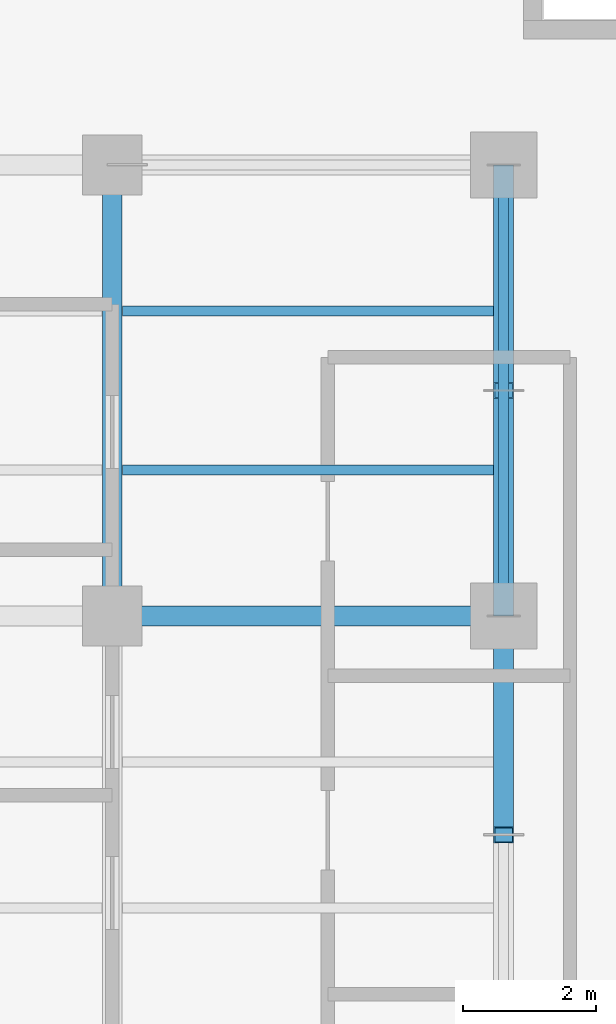
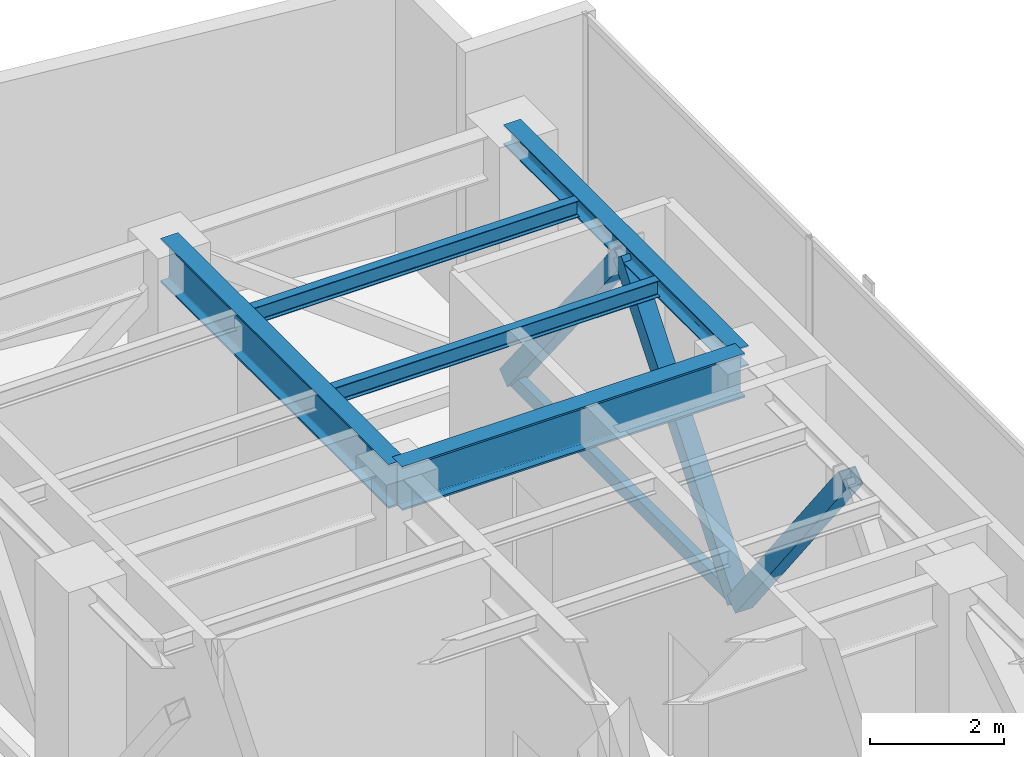
# One storey, part 20 of 31: 5 beams, 4 members.
"""IFC4 building model written with IfcOpenShell, lengths in metres."""

from ifc_helpers import new_model, si_unit, direction, frame, origin, origin_2d, place, context, subcontext, project, spatial, hollow_rectangle, i_section, extrude, material, material_profile, profile_set, type_object, element, save


model = new_model("IFC4")

# Units and contexts
model_context = context("Model", 3, precision=1e-05, world=origin(), true_north=direction((0.0, 1.0)))
body_context = subcontext(model_context, "Body", "Model", "MODEL_VIEW")
ifc_project = project(units=[si_unit("LENGTHUNIT", "METRE"), si_unit("AREAUNIT", "SQUARE_METRE"), si_unit("VOLUMEUNIT", "CUBIC_METRE"), si_unit("PLANEANGLEUNIT", "RADIAN"), si_unit("MASSUNIT", "GRAM", prefix="KILO")], contexts=[model_context])

# Site, building, storey
site_placement = place(None, origin())
site = spatial("IfcSite", under=ifc_project, at=site_placement, CompositionType="ELEMENT")
building_placement = place(site_placement, origin())
building = spatial("IfcBuilding", under=site, at=building_placement, Name="Kolvaren Waterfront Exchange", CompositionType="ELEMENT")
storey_placement = place(building_placement, frame((0.0, 0.0, 257.699951171875)))
storey = spatial("IfcBuildingStorey", under=building, at=storey_placement, Name="L66", CompositionType="ELEMENT", Elevation=257.699951171875)

# Beams
ifc_material_1 = material(Name="Steel S355", Category="steel")
ifc_material_profile_1 = material_profile(ifc_material_1, i_section(OverallWidth=0.300048828125, OverallDepth=0.360107421875, WebThickness=0.012451171875, FlangeThickness=0.0224609375, FilletRadius=0.027099609375, at=origin_2d()), Name="HEB360")
ifc_profile_set_1 = profile_set([ifc_material_profile_1], Name="Steel S355")
beam_type_1 = type_object("IfcBeamType", Name="STR-BM-HEB360", PredefinedType="SPANDREL", material=ifc_profile_set_1)
beam_1_placement = place(storey_placement, frame((18.800048828125, 37.800048828125, 4.679931640625), z_axis=(0.0, 1.0, 0.0), x_axis=(-1.0, 0.0, 0.0)))
element("IfcBeam", 1, at=beam_1_placement, inside=storey, type_object=beam_type_1, Name="L66 north-arm edge beam 3", PredefinedType="SPANDREL", context=body_context, shape_type="SweptSolid", body=[
    extrude(i_section(OverallWidth=0.300048828125, OverallDepth=0.360107421875, WebThickness=0.012451171875, FlangeThickness=0.0224609375, FilletRadius=0.027099609375, at=origin_2d()), origin(), (0.0, 0.0, 1.0), 6.800048828125),
])
ifc_material_profile_2 = material_profile(ifc_material_1, i_section(OverallWidth=0.300048828125, OverallDepth=0.800048828125, WebThickness=0.017578125, FlangeThickness=0.032958984375, FilletRadius=0.030029296875, at=origin_2d()), Name="HEB800")
ifc_profile_set_2 = profile_set([ifc_material_profile_2], Name="Steel S355")
beam_type_2 = type_object("IfcBeamType", Name="STR-BM-HEB800", PredefinedType="BEAM", material=ifc_profile_set_2)
beam_2_placement = place(storey_placement, frame((12.89990234375, 37.800048828125, 4.4599609375), z_axis=(1.0, 0.0, 0.0), x_axis=(0.0, 1.0, 0.0)))
element("IfcBeam", 2, at=beam_2_placement, inside=storey, type_object=beam_type_2, Name="L66 north-arm girder 3B", PredefinedType="BEAM", context=body_context, shape_type="SweptSolid", body=[
    extrude(i_section(OverallWidth=0.300048828125, OverallDepth=0.800048828125, WebThickness=0.017578125, FlangeThickness=0.032958984375, FilletRadius=0.030029296875, at=origin_2d()), origin(), (0.0, 0.0, 1.0), 5.900146484375),
])
beam_3_placement = place(storey_placement, frame((12.89990234375, 37.800048828125, 4.4599609375), z_axis=(0.0, 1.0, 0.0), x_axis=(-1.0, 0.0, 0.0)))
element("IfcBeam", 3, at=beam_3_placement, inside=storey, type_object=beam_type_2, Name="L66 north-arm edge beam 3", PredefinedType="BEAM", context=body_context, shape_type="SweptSolid", body=[
    extrude(i_section(OverallWidth=0.300048828125, OverallDepth=0.800048828125, WebThickness=0.017578125, FlangeThickness=0.032958984375, FilletRadius=0.030029296875, at=origin_2d()), origin(), (0.0, 0.0, 1.0), 6.800048828125),
])
ifc_material_profile_3 = material_profile(ifc_material_1, i_section(OverallWidth=0.14990234375, OverallDepth=0.300048828125, WebThickness=0.007080078125, FlangeThickness=0.0107421875, FilletRadius=0.014892578125, at=origin_2d()), Name="IPE300")
ifc_profile_set_3 = profile_set([ifc_material_profile_3], Name="Steel S355")
beam_type_3 = type_object("IfcBeamType", Name="STR-BM-IPE300", PredefinedType="JOIST", material=ifc_profile_set_3)
for number, where, z_axis, x_axis, name in (
    (4, (13.052001953125, 40.0, 4.7099609375), (1.0, 0.0, 0.0), (0.0, 1.0, 0.0), "L66 north-arm composite joist 5B"),
    (5, (13.052001953125, 42.39990234375, 4.7099609375), (1.0, 0.0, 0.0), (0.0, 1.0, 0.0), "L66 north-arm composite joist 6B"),
):
    element("IfcBeam", number, at=place(storey_placement, frame(where, z_axis=z_axis, x_axis=x_axis)), inside=storey, type_object=beam_type_3, Name=name, PredefinedType="JOIST", context=body_context, shape_type="SweptSolid", body=[
        extrude(i_section(OverallWidth=0.14990234375, OverallDepth=0.300048828125, WebThickness=0.007080078125, FlangeThickness=0.0107421875, FilletRadius=0.014892578125, at=origin_2d()), origin(), (0.0, 0.0, 1.0), 5.595947265625),
    ])

# Members
ifc_material_2 = material(Name="Steel S460", Category="steel")
ifc_material_profile_4 = material_profile(ifc_material_2, hollow_rectangle(XDim=0.14990234375, YDim=0.25, WallThickness=0.010009765625, at=origin_2d()), Name="RHS250x150x10")
ifc_profile_set_4 = profile_set([ifc_material_profile_4], Name="Steel S460")
member_type_1 = type_object("IfcMemberType", Name="STR-BR-RHS250", PredefinedType="CHORD", material=ifc_profile_set_4)
member_1_placement = place(storey_placement, frame((18.800048828125, 37.800048828125, 0.25), z_axis=(0.0, 1.0, 0.0), x_axis=(-1.0, 0.0, 0.0)))
element("IfcMember", 6, at=member_1_placement, inside=storey, type_object=member_type_1, Name="L66 belt-truss bottom chord BT7", PredefinedType="CHORD", context=body_context, shape_type="SweptSolid", body=[
    extrude(hollow_rectangle(XDim=0.14990234375, YDim=0.25, WallThickness=0.010009765625, at=origin_2d()), origin(), (0.0, 0.0, 1.0), 6.800048828125),
])
ifc_material_profile_5 = material_profile(ifc_material_1, hollow_rectangle(XDim=0.300048828125, YDim=0.300048828125, WallThickness=0.01611328125, at=origin_2d()), Name="SHS300x300x16")
ifc_profile_set_5 = profile_set([ifc_material_profile_5], Name="Steel S355")
member_type_2 = type_object("IfcMemberType", Name="STR-BR-SHS300", PredefinedType="BRACE", material=ifc_profile_set_5)
member_2_placement = place(storey_placement, frame((18.800048828125, 37.800048828125, 0.25), z_axis=(0.0, -0.612402527517, 0.790546105101), x_axis=(1.0, 0.0, 0.0)))
element("IfcMember", 7, at=member_2_placement, inside=storey, type_object=member_type_2, Name="L66 belt-truss chevron brace BT6R", PredefinedType="BRACE", context=body_context, shape_type="SweptSolid", body=[
    extrude(hollow_rectangle(XDim=0.300048828125, YDim=0.300048828125, WallThickness=0.01611328125, at=origin_2d()), origin(), (0.0, 0.0, 1.0), 5.388671875),
])
member_3_placement = place(storey_placement, frame((18.800048828125, 37.800048828125, 0.25), z_axis=(0.0, 0.62378784047, 0.781593711644), x_axis=(-1.0, 0.0, 0.0)))
element("IfcMember", 8, at=member_3_placement, inside=storey, type_object=member_type_2, Name="L66 belt-truss chevron brace BT7L", PredefinedType="BRACE", context=body_context, shape_type="SweptSolid", body=[
    extrude(hollow_rectangle(XDim=0.300048828125, YDim=0.300048828125, WallThickness=0.01611328125, at=origin_2d()), origin(), (0.0, 0.0, 1.0), 5.450439453125),
])
member_4_placement = place(storey_placement, frame((18.800048828125, 44.60009765625, 0.25), z_axis=(0.0, -0.623815202885, 0.78157187299), x_axis=(1.0, 0.0, 0.0)))
element("IfcMember", 9, at=member_4_placement, inside=storey, type_object=member_type_2, Name="L66 belt-truss chevron brace BT7R", PredefinedType="BRACE", context=body_context, shape_type="SweptSolid", body=[
    extrude(hollow_rectangle(XDim=0.300048828125, YDim=0.300048828125, WallThickness=0.01611328125, at=origin_2d()), origin(), (0.0, 0.0, 1.0), 5.45068359375),
])

save(model, "model.ifc")
